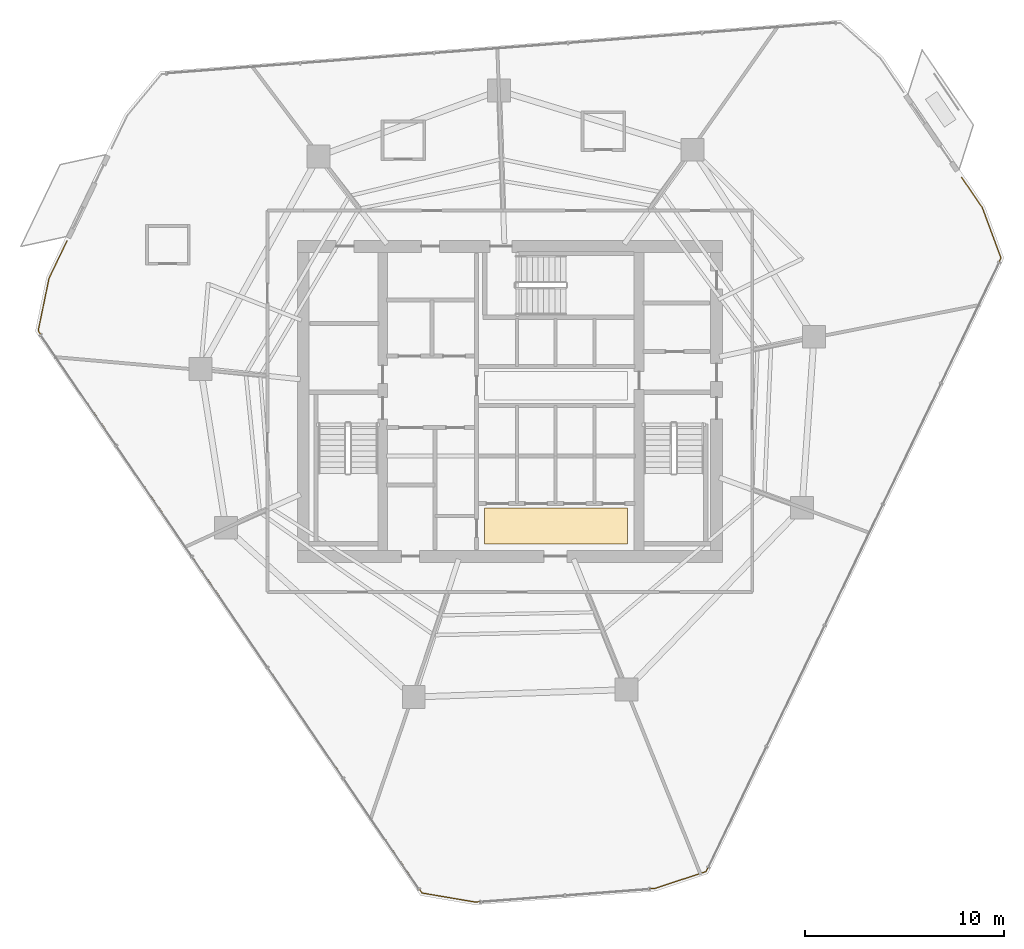
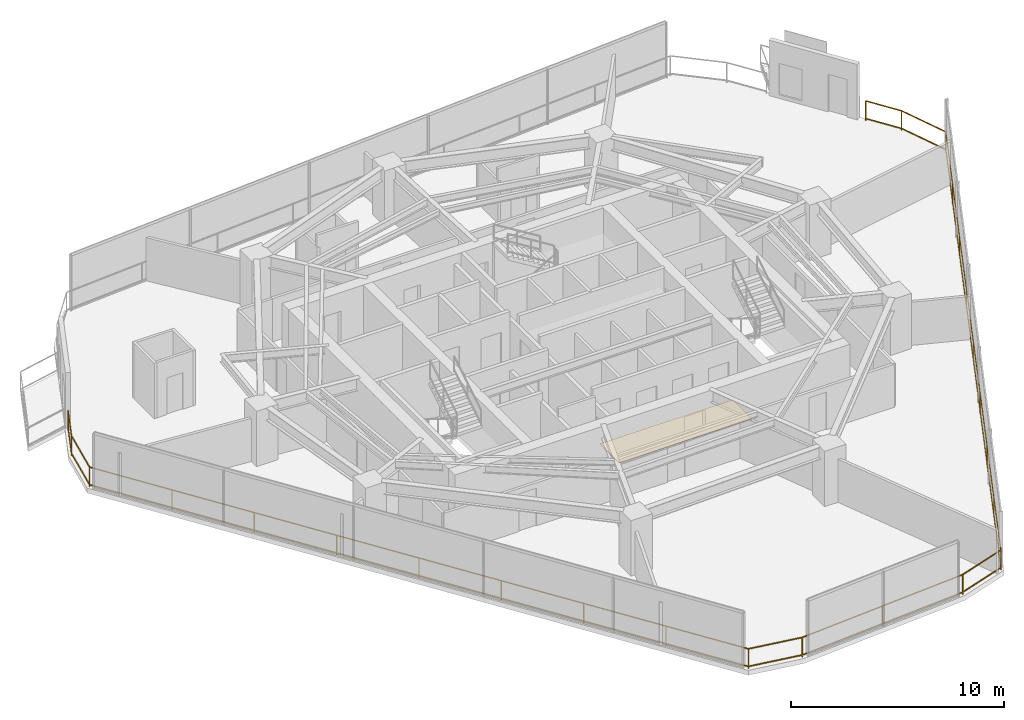
# One storey, part 29 of 30: 1 covering, 1 railing.
"""IFC4 building model written with IfcOpenShell, lengths in metres."""

import ifcopenshell
import ifcopenshell.guid

model = None  # the IFC model being written
_history = None  # IfcOwnerHistory: only IFC2X3 demands one
_inside = {}  # id of a spatial element -> (the spatial element, [elements in it])
_under = {}  # id of a project, library or spatial element -> (it, [spatial elements below it])
_declared = {}  # id of a project -> (the project, [libraries it declares])
_typed = {}  # id of a type object -> (the type object, [elements of that type])
_made_of = {}  # id of a material, layer set ... -> (it, [elements and type objects made of it])


def new_model(schema):
    """Start an empty IFC model of exactly this schema.

    Asked for "IFC4X3", IfcOpenShell would pick the latest addendum, in which some entities
    have other attributes; the version numbers below select the first issue.
    IFC2X3 requires an IfcOwnerHistory on every rooted entity: one is made here for all.
    """
    global model, _history
    if schema == "IFC4X3":
        model = ifcopenshell.file(schema_version=(4, 3, 0, 0))
    else:
        model = ifcopenshell.file(schema=schema)
    _inside.clear()
    _under.clear()
    _declared.clear()
    _typed.clear()
    _made_of.clear()
    _history = None
    if model.schema == "IFC2X3":
        org = make("IfcOrganization", Name="unknown")
        user = make(
            "IfcPersonAndOrganization",
            ThePerson=make("IfcPerson", FamilyName="unknown"),
            TheOrganization=org,
        )
        app = make(
            "IfcApplication",
            ApplicationDeveloper=org,
            Version="unknown",
            ApplicationFullName="unknown",
            ApplicationIdentifier="unknown",
        )
        _history = make(
            "IfcOwnerHistory",
            OwningUser=user,
            OwningApplication=app,
            ChangeAction="ADDED",
            CreationDate=0,
        )
    return model


def make(cls, **values):
    """One entity of the class cls with the attributes given. An attribute that is None is left unset."""
    return model.create_entity(
        cls, **{name: value for name, value in values.items() if value is not None}
    )


def rooted(cls, **values):
    """An entity with a GlobalId (a new one), such as an element, a storey or a relation."""
    return make(cls, GlobalId=ifcopenshell.guid.new(), OwnerHistory=_history, **values)


def si_unit(unit_type, name, prefix=None):
    """IfcSIUnit, for example si_unit("LENGTHUNIT", "METRE", prefix="MILLI")."""
    return make("IfcSIUnit", UnitType=unit_type, Prefix=prefix, Name=name)


def assignment(units):
    """IfcUnitAssignment: the units of a project."""
    return None if units is None else make("IfcUnitAssignment", Units=units)


def point(xyz):
    """IfcCartesianPoint."""
    return None if xyz is None else make("IfcCartesianPoint", Coordinates=xyz)


def direction(xyz):
    """IfcDirection."""
    return None if xyz is None else make("IfcDirection", DirectionRatios=xyz)


def frame(location, z_axis=None, x_axis=None):
    """IfcAxis2Placement3D, a coordinate frame: its origin and axes. An axis left out is left unset."""
    return make(
        "IfcAxis2Placement3D",
        Location=point(location),
        Axis=direction(z_axis),
        RefDirection=direction(x_axis),
    )


def frame_2d(location, x_axis=None):
    """IfcAxis2Placement2D, a coordinate frame in the plane: its origin and x axis."""
    return make(
        "IfcAxis2Placement2D", Location=point(location), RefDirection=direction(x_axis)
    )


def origin():
    """The frame at (0, 0, 0) with its axes left unset."""
    return frame((0.0, 0.0, 0.0))


def origin_2d():
    """The frame at (0, 0) in the plane with its x axis left unset."""
    return frame_2d((0.0, 0.0))


def place(relative_to, where):
    """IfcLocalPlacement: puts the frame where relative to a parent placement (None: the world)."""
    return make(
        "IfcLocalPlacement", PlacementRelTo=relative_to, RelativePlacement=where
    )


def context(
    kind, dimensions, precision=None, world=None, true_north=None, identifier=None
):
    """IfcGeometricRepresentationContext, for example the 3D "Model" context."""
    return make(
        "IfcGeometricRepresentationContext",
        ContextIdentifier=identifier,
        ContextType=kind,
        CoordinateSpaceDimension=dimensions,
        Precision=precision,
        WorldCoordinateSystem=world,
        TrueNorth=true_north,
    )


def subcontext(parent, identifier, kind, view, scale=None):
    """IfcGeometricRepresentationSubContext, for example "Body" below "Model"."""
    return make(
        "IfcGeometricRepresentationSubContext",
        ContextIdentifier=identifier,
        ContextType=kind,
        ParentContext=parent,
        TargetScale=scale,
        TargetView=view,
    )


def project(units=None, contexts=None):
    """IfcProject with its units and contexts."""
    return rooted(
        "IfcProject",
        Name="project",
        RepresentationContexts=contexts,
        UnitsInContext=assignment(units),
    )


def spatial(cls, under=None, at=None, **own):
    """A site, building, storey or space (cls), placed at a placement, below another one or the project."""
    s = rooted(cls, ObjectPlacement=at, **own)
    if under is not None:
        _under.setdefault(under.id(), (under, []))[1].append(s)
    return s


def profile(cls, at=None, kind="AREA", **sizes):
    """A parametric profile (cls). Its sizes go by their IFC names, for example OverallWidth=200.0."""
    return make(cls, ProfileType=kind, Position=at, **sizes)


def rectangle(**sizes):
    """IfcRectangleProfileDef."""
    return profile("IfcRectangleProfileDef", **sizes)


def extrude(swept, where, along, depth):
    """IfcExtrudedAreaSolid: the profile swept, set in the frame where, extruded along a direction by depth."""
    return make(
        "IfcExtrudedAreaSolid",
        SweptArea=swept,
        Position=where,
        ExtrudedDirection=direction(along),
        Depth=depth,
    )


def shape(context_of_items, identifier, shape_type, items):
    """IfcShapeRepresentation: the items that make up one representation, for example the "Body"."""
    return make(
        "IfcShapeRepresentation",
        ContextOfItems=context_of_items,
        RepresentationIdentifier=identifier,
        RepresentationType=shape_type,
        Items=items,
    )


def material(Name=None, Category=None):
    """IfcMaterial."""
    return make("IfcMaterial", Name=Name, Category=Category)


def layer(
    of_material, thickness, ventilated=None, Name=None, Category=None, Priority=None
):
    """IfcMaterialLayer: one layer of a wall or slab, of a material (None: an air gap)."""
    return make(
        "IfcMaterialLayer",
        Material=of_material,
        LayerThickness=thickness,
        IsVentilated=ventilated,
        Name=Name,
        Category=Category,
        Priority=Priority,
    )


def layer_set(layers, Name=None):
    """IfcMaterialLayerSet."""
    return make("IfcMaterialLayerSet", MaterialLayers=layers, LayerSetName=Name)


def made_of(thing, what):
    """Note that an element or type object is made of a material, layer set ...; save() writes the relation."""
    if what is not None:
        _made_of.setdefault(what.id(), (what, []))[1].append(thing)
    return thing


def type_object(cls, material=None, **own):
    """A type object (cls), such as IfcWallType, which elements share."""
    return made_of(rooted(cls, **own), material)


def element(
    cls,
    number,
    at=None,
    inside=None,
    cuts=None,
    type_object=None,
    material=None,
    context=None,
    identifier="Body",
    shape_type=None,
    held_by="IfcProductDefinitionShape",
    body=None,
    shapes=None,
    **own,
):
    """One element of the class cls, such as IfcWall. Its Tag is "e" and its number.

    at: its placement. inside: the storey or other place that contains it. cuts: it is an
    opening in that element (IfcRelVoidsElement). A single representation is given by context,
    identifier, shape_type and body (its items); several are given by shapes. held_by: the class
    of the entity that holds the representations. save() writes the other relations.
    """
    e = rooted(cls, Tag="e%d" % number, ObjectPlacement=at, **own)
    if body is not None:
        shapes = [shape(context, identifier, shape_type, body)]
    if shapes is not None:
        e.Representation = make(held_by, Representations=shapes)
    if inside is not None:
        _inside.setdefault(inside.id(), (inside, []))[1].append(e)
    if cuts is not None:
        rooted(
            "IfcRelVoidsElement", RelatingBuildingElement=cuts, RelatedOpeningElement=e
        )
    if type_object is not None:
        _typed.setdefault(type_object.id(), (type_object, []))[1].append(e)
    return made_of(e, material)


def aggregate(whole, parts):
    """IfcRelAggregates: a whole, such as a stair, and the parts it consists of."""
    return rooted("IfcRelAggregates", RelatingObject=whole, RelatedObjects=parts)


def save(model, path):
    """Write the relations noted so far, then the file.

    IfcRelAggregates (storeys below a building ...), IfcRelContainedInSpatialStructure (elements
    in a storey), IfcRelDefinesByType, IfcRelAssociatesMaterial and IfcRelDeclares: one each for
    every whole, place, type object, material and project.
    """
    for whole, parts in _under.values():
        aggregate(whole, parts)
    for where, things in _inside.values():
        rooted(
            "IfcRelContainedInSpatialStructure",
            RelatedElements=things,
            RelatingStructure=where,
        )
    for kind, things in _typed.values():
        rooted("IfcRelDefinesByType", RelatedObjects=things, RelatingType=kind)
    for what, things in _made_of.values():
        rooted("IfcRelAssociatesMaterial", RelatedObjects=things, RelatingMaterial=what)
    for by, libraries in _declared.values():
        rooted("IfcRelDeclares", RelatingContext=by, RelatedDefinitions=libraries)
    model.write(path)


model = new_model("IFC4")

# Units and contexts
model_context = context("Model", 3, precision=1e-05, world=origin(), true_north=direction((0.0, 1.0)))
body_context = subcontext(model_context, "Body", "Model", "MODEL_VIEW")
ifc_project = project(units=[si_unit("LENGTHUNIT", "METRE"), si_unit("AREAUNIT", "SQUARE_METRE"), si_unit("VOLUMEUNIT", "CUBIC_METRE"), si_unit("PLANEANGLEUNIT", "RADIAN"), si_unit("MASSUNIT", "GRAM", prefix="KILO")], contexts=[model_context])

# Site, building, storey
site_placement = place(None, origin())
site = spatial("IfcSite", under=ifc_project, at=site_placement, CompositionType="ELEMENT")
building_placement = place(site_placement, origin())
building = spatial("IfcBuilding", under=site, at=building_placement, Name="Qarnah Convention Tower", CompositionType="ELEMENT")
storey_placement = place(building_placement, frame((0.0, 0.0, 83.25)))
storey = spatial("IfcBuildingStorey", under=building, at=storey_placement, Name="L21", CompositionType="ELEMENT", Elevation=83.25)

# Covering
ifc_material_1 = material(Name="Porcelain stone floor tile", Category="masonry")
ifc_layer = layer(ifc_material_1, 0.02001953125)
ifc_layer_set = layer_set([ifc_layer], Name="Porcelain stone floor tile")
covering_type = type_object("IfcCoveringType", Name="COV-FLOOR-20", PredefinedType="FLOORING", material=ifc_layer_set)
covering_placement = place(storey_placement, frame((39.52001953125, 20.1201171875, 0.0), z_axis=(0.0, 0.0, 1.0), x_axis=(1.0, 0.0, 0.0)))
element("IfcCovering", 1, at=covering_placement, inside=storey, type_object=covering_type, Name="L21 lift lobby porcelain stone flooring", PredefinedType="FLOORING", context=body_context, shape_type="SweptSolid", body=[
    extrude(rectangle(XDim=7.199951171875, YDim=1.800048828125, at=origin_2d()), origin(), (0.0, 0.0, 1.0), 0.02001953125),
])

# Railing
ifc_material_2 = material(Name="Black anodised aluminium", Category="aluminium")
railing_type = type_object("IfcRailingType", Name="RL-EXT-GUARD-1150", PredefinedType="GUARDRAIL", material=ifc_material_2)
railing_placement = place(storey_placement, frame((59.930908203125, 37.68310546875, 0.0)))
element("IfcRailing", 2, at=railing_placement, inside=storey, type_object=railing_type, Name="L21 slab-edge perimeter safety guard 02", PredefinedType="GUARDRAIL", context=body_context, shape_type="SweptSolid", body=[
    extrude(rectangle(XDim=0.048095703125, YDim=0.048095703125, at=origin_2d()), frame((0.0, 0.0, 1.1259765625), z_axis=(0.563815822266, -0.825900550044, 0.0), x_axis=(0.825900550044, 0.563815822266, 0.0)), (0.0, 0.0, 1.0), 1.865966796875),
    extrude(rectangle(XDim=0.048095703125, YDim=0.048095703125, at=origin_2d()), frame((0.0, 0.0, 0.1201171875), z_axis=(0.563815822266, -0.825900550044, 0.0), x_axis=(0.825900550044, 0.563815822266, 0.0)), (0.0, 0.0, 1.0), 1.865966796875),
    extrude(rectangle(XDim=0.048095703125, YDim=0.048095703125, at=origin_2d()), frame((1.052001953125, -1.541015625, 1.1259765625), z_axis=(0.347219967149, -0.937783714091, 0.0), x_axis=(0.937783714091, 0.347219967149, 0.0)), (0.0, 0.0, 1.0), 2.69580078125),
    extrude(rectangle(XDim=0.048095703125, YDim=0.048095703125, at=origin_2d()), frame((1.052001953125, -1.541015625, 0.1201171875), z_axis=(0.347219967149, -0.937783714091, 0.0), x_axis=(0.937783714091, 0.347219967149, 0.0)), (0.0, 0.0, 1.0), 2.69580078125),
    extrude(rectangle(XDim=0.048095703125, YDim=0.048095703125, at=origin_2d()), frame((1.988037109375, -4.069091796875, 1.1259765625), z_axis=(-0.433324148566, -0.90123813849, 0.0), x_axis=(0.90123813849, -0.433324148566, 0.0)), (0.0, 0.0, 1.0), 34.267333984375),
    extrude(rectangle(XDim=0.048095703125, YDim=0.048095703125, at=origin_2d()), frame((1.988037109375, -4.069091796875, 0.1201171875), z_axis=(-0.433324148566, -0.90123813849, 0.0), x_axis=(0.90123813849, -0.433324148566, 0.0)), (0.0, 0.0, 1.0), 34.267333984375),
    extrude(rectangle(XDim=0.048095703125, YDim=0.048095703125, at=origin_2d()), frame((-12.86083984375, -34.9521484375, 1.1259765625), z_axis=(-0.949431839907, -0.313973217601, 0.0), x_axis=(0.313973217601, -0.949431839907, 0.0)), (0.0, 0.0, 1.0), 2.697509765625),
    extrude(rectangle(XDim=0.048095703125, YDim=0.048095703125, at=origin_2d()), frame((-12.86083984375, -34.9521484375, 0.1201171875), z_axis=(-0.949431839907, -0.313973217601, 0.0), x_axis=(0.313973217601, -0.949431839907, 0.0)), (0.0, 0.0, 1.0), 2.697509765625),
    extrude(rectangle(XDim=0.048095703125, YDim=0.048095703125, at=origin_2d()), frame((-15.421875, -35.799072265625, 1.1259765625), z_axis=(-0.997161003925, -0.075298952529, 0.0), x_axis=(0.075298952529, -0.997161003925, 0.0)), (0.0, 0.0, 1.0), 9.097900390625),
    extrude(rectangle(XDim=0.048095703125, YDim=0.048095703125, at=origin_2d()), frame((-15.421875, -35.799072265625, 0.1201171875), z_axis=(-0.997161003925, -0.075298952529, 0.0), x_axis=(0.075298952529, -0.997161003925, 0.0)), (0.0, 0.0, 1.0), 9.097900390625),
    extrude(rectangle(XDim=0.048095703125, YDim=0.048095703125, at=origin_2d()), frame((-24.493896484375, -36.484130859375, 1.1259765625), z_axis=(-0.985788019177, 0.167993991699, 0.0), x_axis=(-0.167993991699, -0.985788019177, 0.0)), (0.0, 0.0, 1.0), 2.697265625),
    extrude(rectangle(XDim=0.048095703125, YDim=0.048095703125, at=origin_2d()), frame((-24.493896484375, -36.484130859375, 0.1201171875), z_axis=(-0.985788019177, 0.167993991699, 0.0), x_axis=(-0.167993991699, -0.985788019177, 0.0)), (0.0, 0.0, 1.0), 2.697265625),
    extrude(rectangle(XDim=0.048095703125, YDim=0.048095703125, at=origin_2d()), frame((-27.15283203125, -36.031005859375, 1.1259765625), z_axis=(-0.563816469016, 0.825900108528, 0.0), x_axis=(-0.825900108528, -0.563816469016, 0.0)), (0.0, 0.0, 1.0), 34.2666015625),
    extrude(rectangle(XDim=0.048095703125, YDim=0.048095703125, at=origin_2d()), frame((-27.15283203125, -36.031005859375, 0.1201171875), z_axis=(-0.563816469016, 0.825900108528, 0.0), x_axis=(-0.825900108528, -0.563816469016, 0.0)), (0.0, 0.0, 1.0), 34.2666015625),
    extrude(rectangle(XDim=0.048095703125, YDim=0.048095703125, at=origin_2d()), frame((-46.472900390625, -7.730224609375, 1.1259765625), z_axis=(0.20241402148, 0.979300037735, 0.0), x_axis=(-0.979300037735, 0.20241402148, 0.0)), (0.0, 0.0, 1.0), 2.697021484375),
    extrude(rectangle(XDim=0.048095703125, YDim=0.048095703125, at=origin_2d()), frame((-46.472900390625, -7.730224609375, 0.1201171875), z_axis=(0.20241402148, 0.979300037735, 0.0), x_axis=(-0.979300037735, 0.20241402148, 0.0)), (0.0, 0.0, 1.0), 2.697021484375),
    extrude(rectangle(XDim=0.048095703125, YDim=0.048095703125, at=origin_2d()), frame((-45.927001953125, -5.089111328125, 1.1259765625), z_axis=(0.433140118, 0.901326599063, 0.0), x_axis=(-0.901326599063, 0.433140118, 0.0)), (0.0, 0.0, 1.0), 2.075927734375),
    extrude(rectangle(XDim=0.048095703125, YDim=0.048095703125, at=origin_2d()), frame((-45.927001953125, -5.089111328125, 0.1201171875), z_axis=(0.433140118, 0.901326599063, 0.0), x_axis=(-0.901326599063, 0.433140118, 0.0)), (0.0, 0.0, 1.0), 2.075927734375),
    extrude(rectangle(XDim=0.0419921875, YDim=0.0419921875, at=origin_2d()), origin(), (0.0, 0.0, 1.0), 1.101806640625),
    extrude(rectangle(XDim=0.0419921875, YDim=0.0419921875, at=origin_2d()), frame((1.052001953125, -1.541015625, 0.0)), (0.0, 0.0, 1.0), 1.101806640625),
    extrude(rectangle(XDim=0.0419921875, YDim=0.0419921875, at=origin_2d()), frame((1.988037109375, -4.069091796875, 0.0)), (0.0, 0.0, 1.0), 1.101806640625),
    extrude(rectangle(XDim=0.0419921875, YDim=0.0419921875, at=origin_2d()), frame((0.1318359375, -7.929443359375, 0.0)), (0.0, 0.0, 1.0), 1.101806640625),
    extrude(rectangle(XDim=0.0419921875, YDim=0.0419921875, at=origin_2d()), frame((-1.72412109375, -11.789794921875, 0.0)), (0.0, 0.0, 1.0), 1.101806640625),
    extrude(rectangle(XDim=0.0419921875, YDim=0.0419921875, at=origin_2d()), frame((-3.580322265625, -15.650146484375, 0.0)), (0.0, 0.0, 1.0), 1.101806640625),
    extrude(rectangle(XDim=0.0419921875, YDim=0.0419921875, at=origin_2d()), frame((-5.4365234375, -19.5107421875, 0.0)), (0.0, 0.0, 1.0), 1.101806640625),
    extrude(rectangle(XDim=0.0419921875, YDim=0.0419921875, at=origin_2d()), frame((-7.29248046875, -23.37109375, 0.0)), (0.0, 0.0, 1.0), 1.101806640625),
    extrude(rectangle(XDim=0.0419921875, YDim=0.0419921875, at=origin_2d()), frame((-9.148681640625, -27.2314453125, 0.0)), (0.0, 0.0, 1.0), 1.101806640625),
    extrude(rectangle(XDim=0.0419921875, YDim=0.0419921875, at=origin_2d()), frame((-11.004638671875, -31.091796875, 0.0)), (0.0, 0.0, 1.0), 1.101806640625),
    extrude(rectangle(XDim=0.0419921875, YDim=0.0419921875, at=origin_2d()), frame((-12.86083984375, -34.9521484375, 0.0)), (0.0, 0.0, 1.0), 1.101806640625),
    extrude(rectangle(XDim=0.0419921875, YDim=0.0419921875, at=origin_2d()), frame((-15.421875, -35.799072265625, 0.0)), (0.0, 0.0, 1.0), 1.101806640625),
    extrude(rectangle(XDim=0.0419921875, YDim=0.0419921875, at=origin_2d()), frame((-19.9580078125, -36.1416015625, 0.0)), (0.0, 0.0, 1.0), 1.101806640625),
    extrude(rectangle(XDim=0.0419921875, YDim=0.0419921875, at=origin_2d()), frame((-24.493896484375, -36.484130859375, 0.0)), (0.0, 0.0, 1.0), 1.101806640625),
    extrude(rectangle(XDim=0.0419921875, YDim=0.0419921875, at=origin_2d()), frame((-27.15283203125, -36.031005859375, 0.0)), (0.0, 0.0, 1.0), 1.101806640625),
    extrude(rectangle(XDim=0.0419921875, YDim=0.0419921875, at=origin_2d()), frame((-29.56787109375, -32.493408203125, 0.0)), (0.0, 0.0, 1.0), 1.101806640625),
    extrude(rectangle(XDim=0.0419921875, YDim=0.0419921875, at=origin_2d()), frame((-31.98291015625, -28.955810546875, 0.0)), (0.0, 0.0, 1.0), 1.101806640625),
    extrude(rectangle(XDim=0.0419921875, YDim=0.0419921875, at=origin_2d()), frame((-34.39794921875, -25.418212890625, 0.0)), (0.0, 0.0, 1.0), 1.101806640625),
    extrude(rectangle(XDim=0.0419921875, YDim=0.0419921875, at=origin_2d()), frame((-36.81298828125, -21.880615234375, 0.0)), (0.0, 0.0, 1.0), 1.101806640625),
    extrude(rectangle(XDim=0.0419921875, YDim=0.0419921875, at=origin_2d()), frame((-39.227783203125, -18.343017578125, 0.0)), (0.0, 0.0, 1.0), 1.101806640625),
    extrude(rectangle(XDim=0.0419921875, YDim=0.0419921875, at=origin_2d()), frame((-41.642822265625, -14.805419921875, 0.0)), (0.0, 0.0, 1.0), 1.101806640625),
    extrude(rectangle(XDim=0.0419921875, YDim=0.0419921875, at=origin_2d()), frame((-44.057861328125, -11.267822265625, 0.0)), (0.0, 0.0, 1.0), 1.101806640625),
    extrude(rectangle(XDim=0.0419921875, YDim=0.0419921875, at=origin_2d()), frame((-46.472900390625, -7.730224609375, 0.0)), (0.0, 0.0, 1.0), 1.101806640625),
    extrude(rectangle(XDim=0.0419921875, YDim=0.0419921875, at=origin_2d()), frame((-45.927001953125, -5.089111328125, 0.0)), (0.0, 0.0, 1.0), 1.101806640625),
    extrude(rectangle(XDim=0.0419921875, YDim=0.0419921875, at=origin_2d()), frame((-45.02783203125, -3.218017578125, 0.0)), (0.0, 0.0, 1.0), 1.101806640625),
])

save(model, "model.ifc")
